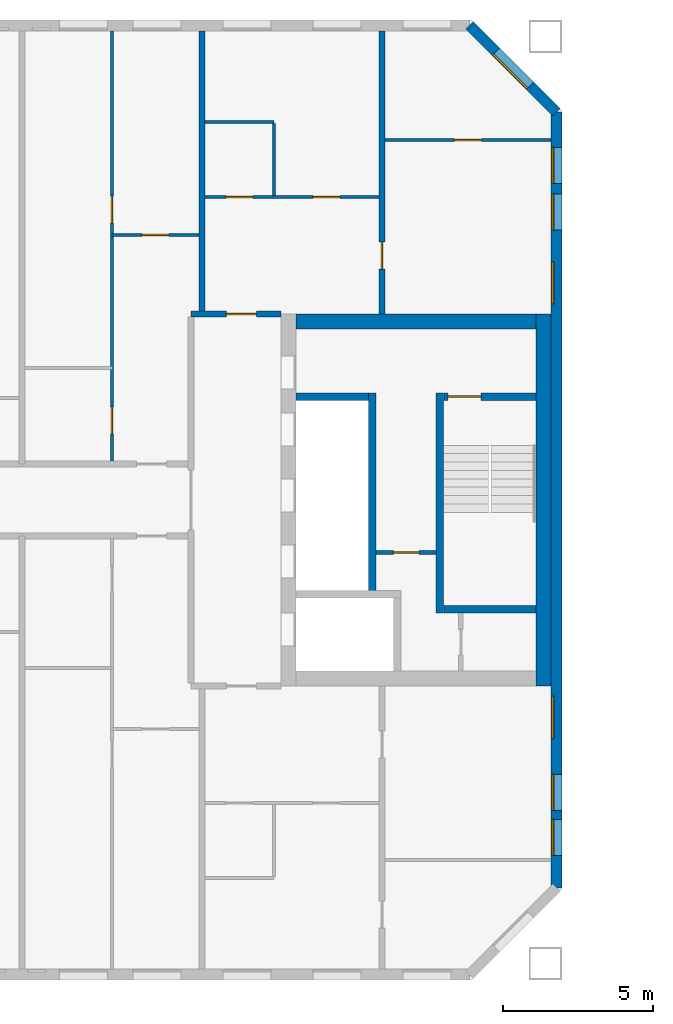
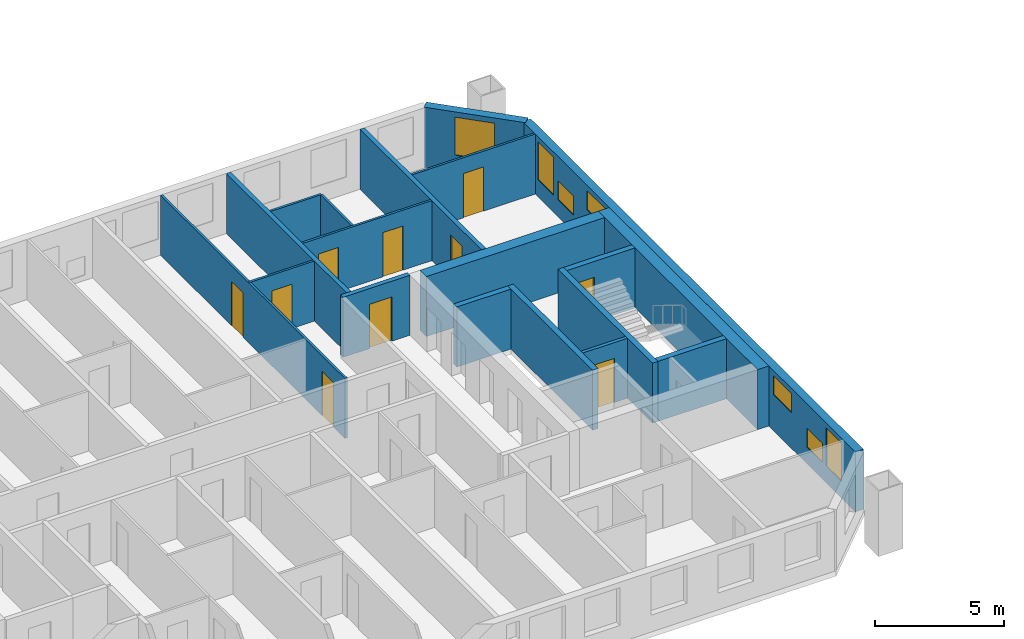
# One storey, part 7 of 15: 19 walls, 10 doors, 7 windows, 17 openings.
"""IFC4 building model written with IfcOpenShell, lengths in metres."""

import ifcopenshell
import ifcopenshell.guid

model = None  # the IFC model being written
_history = None  # IfcOwnerHistory: only IFC2X3 demands one
_inside = {}  # id of a spatial element -> (the spatial element, [elements in it])
_under = {}  # id of a project, library or spatial element -> (it, [spatial elements below it])
_declared = {}  # id of a project -> (the project, [libraries it declares])
_typed = {}  # id of a type object -> (the type object, [elements of that type])
_made_of = {}  # id of a material, layer set ... -> (it, [elements and type objects made of it])


def new_model(schema):
    """Start an empty IFC model of exactly this schema.

    Asked for "IFC4X3", IfcOpenShell would pick the latest addendum, in which some entities
    have other attributes; the version numbers below select the first issue.
    IFC2X3 requires an IfcOwnerHistory on every rooted entity: one is made here for all.
    """
    global model, _history
    if schema == "IFC4X3":
        model = ifcopenshell.file(schema_version=(4, 3, 0, 0))
    else:
        model = ifcopenshell.file(schema=schema)
    _inside.clear()
    _under.clear()
    _declared.clear()
    _typed.clear()
    _made_of.clear()
    _history = None
    if model.schema == "IFC2X3":
        org = make("IfcOrganization", Name="unknown")
        user = make(
            "IfcPersonAndOrganization",
            ThePerson=make("IfcPerson", FamilyName="unknown"),
            TheOrganization=org,
        )
        app = make(
            "IfcApplication",
            ApplicationDeveloper=org,
            Version="unknown",
            ApplicationFullName="unknown",
            ApplicationIdentifier="unknown",
        )
        _history = make(
            "IfcOwnerHistory",
            OwningUser=user,
            OwningApplication=app,
            ChangeAction="ADDED",
            CreationDate=0,
        )
    return model


def make(cls, **values):
    """One entity of the class cls with the attributes given. An attribute that is None is left unset."""
    return model.create_entity(
        cls, **{name: value for name, value in values.items() if value is not None}
    )


def rooted(cls, **values):
    """An entity with a GlobalId (a new one), such as an element, a storey or a relation."""
    return make(cls, GlobalId=ifcopenshell.guid.new(), OwnerHistory=_history, **values)


def si_unit(unit_type, name, prefix=None):
    """IfcSIUnit, for example si_unit("LENGTHUNIT", "METRE", prefix="MILLI")."""
    return make("IfcSIUnit", UnitType=unit_type, Prefix=prefix, Name=name)


def assignment(units):
    """IfcUnitAssignment: the units of a project."""
    return None if units is None else make("IfcUnitAssignment", Units=units)


def point(xyz):
    """IfcCartesianPoint."""
    return None if xyz is None else make("IfcCartesianPoint", Coordinates=xyz)


def direction(xyz):
    """IfcDirection."""
    return None if xyz is None else make("IfcDirection", DirectionRatios=xyz)


def frame(location, z_axis=None, x_axis=None):
    """IfcAxis2Placement3D, a coordinate frame: its origin and axes. An axis left out is left unset."""
    return make(
        "IfcAxis2Placement3D",
        Location=point(location),
        Axis=direction(z_axis),
        RefDirection=direction(x_axis),
    )


def frame_2d(location, x_axis=None):
    """IfcAxis2Placement2D, a coordinate frame in the plane: its origin and x axis."""
    return make(
        "IfcAxis2Placement2D", Location=point(location), RefDirection=direction(x_axis)
    )


def origin():
    """The frame at (0, 0, 0) with its axes left unset."""
    return frame((0.0, 0.0, 0.0))


def place(relative_to, where):
    """IfcLocalPlacement: puts the frame where relative to a parent placement (None: the world)."""
    return make(
        "IfcLocalPlacement", PlacementRelTo=relative_to, RelativePlacement=where
    )


def context(
    kind, dimensions, precision=None, world=None, true_north=None, identifier=None
):
    """IfcGeometricRepresentationContext, for example the 3D "Model" context."""
    return make(
        "IfcGeometricRepresentationContext",
        ContextIdentifier=identifier,
        ContextType=kind,
        CoordinateSpaceDimension=dimensions,
        Precision=precision,
        WorldCoordinateSystem=world,
        TrueNorth=true_north,
    )


def subcontext(parent, identifier, kind, view, scale=None):
    """IfcGeometricRepresentationSubContext, for example "Body" below "Model"."""
    return make(
        "IfcGeometricRepresentationSubContext",
        ContextIdentifier=identifier,
        ContextType=kind,
        ParentContext=parent,
        TargetScale=scale,
        TargetView=view,
    )


def project(units=None, contexts=None):
    """IfcProject with its units and contexts."""
    return rooted(
        "IfcProject",
        Name="project",
        RepresentationContexts=contexts,
        UnitsInContext=assignment(units),
    )


def spatial(cls, under=None, at=None, **own):
    """A site, building, storey or space (cls), placed at a placement, below another one or the project."""
    s = rooted(cls, ObjectPlacement=at, **own)
    if under is not None:
        _under.setdefault(under.id(), (under, []))[1].append(s)
    return s


def profile(cls, at=None, kind="AREA", **sizes):
    """A parametric profile (cls). Its sizes go by their IFC names, for example OverallWidth=200.0."""
    return make(cls, ProfileType=kind, Position=at, **sizes)


def rectangle(**sizes):
    """IfcRectangleProfileDef."""
    return profile("IfcRectangleProfileDef", **sizes)


def extrude(swept, where, along, depth):
    """IfcExtrudedAreaSolid: the profile swept, set in the frame where, extruded along a direction by depth."""
    return make(
        "IfcExtrudedAreaSolid",
        SweptArea=swept,
        Position=where,
        ExtrudedDirection=direction(along),
        Depth=depth,
    )


def shape(context_of_items, identifier, shape_type, items):
    """IfcShapeRepresentation: the items that make up one representation, for example the "Body"."""
    return make(
        "IfcShapeRepresentation",
        ContextOfItems=context_of_items,
        RepresentationIdentifier=identifier,
        RepresentationType=shape_type,
        Items=items,
    )


def material(Name=None, Category=None):
    """IfcMaterial."""
    return make("IfcMaterial", Name=Name, Category=Category)


def layer(
    of_material, thickness, ventilated=None, Name=None, Category=None, Priority=None
):
    """IfcMaterialLayer: one layer of a wall or slab, of a material (None: an air gap)."""
    return make(
        "IfcMaterialLayer",
        Material=of_material,
        LayerThickness=thickness,
        IsVentilated=ventilated,
        Name=Name,
        Category=Category,
        Priority=Priority,
    )


def layer_set(layers, Name=None):
    """IfcMaterialLayerSet."""
    return make("IfcMaterialLayerSet", MaterialLayers=layers, LayerSetName=Name)


def made_of(thing, what):
    """Note that an element or type object is made of a material, layer set ...; save() writes the relation."""
    if what is not None:
        _made_of.setdefault(what.id(), (what, []))[1].append(thing)
    return thing


def type_object(cls, material=None, **own):
    """A type object (cls), such as IfcWallType, which elements share."""
    return made_of(rooted(cls, **own), material)


def element(
    cls,
    number,
    at=None,
    inside=None,
    cuts=None,
    type_object=None,
    material=None,
    context=None,
    identifier="Body",
    shape_type=None,
    held_by="IfcProductDefinitionShape",
    body=None,
    shapes=None,
    **own,
):
    """One element of the class cls, such as IfcWall. Its Tag is "e" and its number.

    at: its placement. inside: the storey or other place that contains it. cuts: it is an
    opening in that element (IfcRelVoidsElement). A single representation is given by context,
    identifier, shape_type and body (its items); several are given by shapes. held_by: the class
    of the entity that holds the representations. save() writes the other relations.
    """
    e = rooted(cls, Tag="e%d" % number, ObjectPlacement=at, **own)
    if body is not None:
        shapes = [shape(context, identifier, shape_type, body)]
    if shapes is not None:
        e.Representation = make(held_by, Representations=shapes)
    if inside is not None:
        _inside.setdefault(inside.id(), (inside, []))[1].append(e)
    if cuts is not None:
        rooted(
            "IfcRelVoidsElement", RelatingBuildingElement=cuts, RelatedOpeningElement=e
        )
    if type_object is not None:
        _typed.setdefault(type_object.id(), (type_object, []))[1].append(e)
    return made_of(e, material)


def fill(opening, filler):
    """IfcRelFillsElement: the door or window that sits in an opening."""
    return rooted(
        "IfcRelFillsElement",
        RelatingOpeningElement=opening,
        RelatedBuildingElement=filler,
    )


def aggregate(whole, parts):
    """IfcRelAggregates: a whole, such as a stair, and the parts it consists of."""
    return rooted("IfcRelAggregates", RelatingObject=whole, RelatedObjects=parts)


def save(model, path):
    """Write the relations noted so far, then the file.

    IfcRelAggregates (storeys below a building ...), IfcRelContainedInSpatialStructure (elements
    in a storey), IfcRelDefinesByType, IfcRelAssociatesMaterial and IfcRelDeclares: one each for
    every whole, place, type object, material and project.
    """
    for whole, parts in _under.values():
        aggregate(whole, parts)
    for where, things in _inside.values():
        rooted(
            "IfcRelContainedInSpatialStructure",
            RelatedElements=things,
            RelatingStructure=where,
        )
    for kind, things in _typed.values():
        rooted("IfcRelDefinesByType", RelatedObjects=things, RelatingType=kind)
    for what, things in _made_of.values():
        rooted("IfcRelAssociatesMaterial", RelatedObjects=things, RelatingMaterial=what)
    for by, libraries in _declared.values():
        rooted("IfcRelDeclares", RelatingContext=by, RelatedDefinitions=libraries)
    model.write(path)


model = new_model("IFC4")

# Units and contexts
model_context = context("Model", 3, precision=1e-05, world=origin(), true_north=direction((0.0, 1.0)))
body_context = subcontext(model_context, "Body", "Model", "MODEL_VIEW")
ifc_project = project(units=[si_unit("LENGTHUNIT", "METRE"), si_unit("AREAUNIT", "SQUARE_METRE"), si_unit("VOLUMEUNIT", "CUBIC_METRE"), si_unit("PLANEANGLEUNIT", "RADIAN"), si_unit("MASSUNIT", "GRAM", prefix="KILO")], contexts=[model_context])

# Site, building, storey
site_placement = place(None, origin())
site = spatial("IfcSite", under=ifc_project, at=site_placement, CompositionType="ELEMENT")
building_placement = place(site_placement, origin())
building = spatial("IfcBuilding", under=site, at=building_placement, Name="Tuart Gate Housing", CompositionType="ELEMENT")
storey_placement = place(building_placement, frame((0.0, 0.0, 160.89990234375)))
storey = spatial("IfcBuildingStorey", under=building, at=storey_placement, Name="L45", CompositionType="ELEMENT", Elevation=160.89990234375)

# Wall, openings, windows
ifc_material_1 = material(Name="Brick", Category="masonry")
ifc_layer_1 = layer(ifc_material_1, 0.360107421875)
ifc_layer_set_1 = layer_set([ifc_layer_1], Name="Brick pier and spandrel wall 360")
wall_type_1 = type_object("IfcWallType", Name="Brick pier and spandrel wall 360", PredefinedType="STANDARD", material=ifc_layer_set_1)
wall_1_placement = place(storey_placement, frame((75.820068359375, 57.07470703125, 0.0), z_axis=(0.0, 0.0, 1.0), x_axis=(0.0, 1.0, 0.0)))
wall_1 = element("IfcWall", 1, at=wall_1_placement, inside=storey, type_object=wall_type_1, Name="External wall A-E L45", PredefinedType="STANDARD", context=body_context, shape_type="SweptSolid", body=[
    extrude(rectangle(XDim=25.850830078125, YDim=0.360107421875, at=frame_2d((12.92529296875, 0.0))), origin(), (0.0, 0.0, 1.0), 2.85009765625),
])
opening_1_placement = place(wall_1_placement, frame((1.075439453125, 0.0, 0.800048828125)))
opening_1 = element("IfcOpeningElement", 2, at=opening_1_placement, cuts=wall_1, Name="Opening W1B", PredefinedType="OPENING", context=body_context, shape_type="SweptSolid", body=[
    extrude(rectangle(XDim=1.199951171875, YDim=1.800048828125, at=frame_2d((0.60009765625, 0.89990234375))), frame((0.0, 0.18994140625, 0.0), z_axis=(0.0, -1.0, 0.0), x_axis=(1.0, 0.0, 0.0)), (0.0, 0.0, 1.0), 0.380126953125),
])
opening_2_placement = place(wall_1_placement, frame((2.575439453125, 0.0, 0.800048828125)))
opening_2 = element("IfcOpeningElement", 3, at=opening_2_placement, cuts=wall_1, Name="Opening W1T", PredefinedType="OPENING", context=body_context, shape_type="SweptSolid", body=[
    extrude(rectangle(XDim=1.199951171875, YDim=0.89990234375, at=frame_2d((0.60009765625, 0.449951171875))), frame((0.0, 0.18994140625, 0.0), z_axis=(0.0, -1.0, 0.0), x_axis=(1.0, 0.0, 0.0)), (0.0, 0.0, 1.0), 0.380126953125),
])
opening_3_placement = place(wall_1_placement, frame((19.475341796875, 0.0, 1.699951171875)))
opening_3 = element("IfcOpeningElement", 4, at=opening_3_placement, cuts=wall_1, Name="Opening W1S", PredefinedType="OPENING", context=body_context, shape_type="SweptSolid", body=[
    extrude(rectangle(XDim=1.39990234375, YDim=0.89990234375, at=frame_2d((0.699951171875, 0.449951171875))), frame((0.0, 0.18994140625, 0.0), z_axis=(0.0, -1.0, 0.0), x_axis=(1.0, 0.0, 0.0)), (0.0, 0.0, 1.0), 0.380126953125),
])
opening_4_placement = place(wall_1_placement, frame((21.92529296875, 0.0, 0.800048828125)))
opening_4 = element("IfcOpeningElement", 5, at=opening_4_placement, cuts=wall_1, Name="Opening W1T", PredefinedType="OPENING", context=body_context, shape_type="SweptSolid", body=[
    extrude(rectangle(XDim=1.199951171875, YDim=0.89990234375, at=frame_2d((0.60009765625, 0.449951171875))), frame((0.0, 0.18994140625, 0.0), z_axis=(0.0, -1.0, 0.0), x_axis=(1.0, 0.0, 0.0)), (0.0, 0.0, 1.0), 0.380126953125),
])
opening_5_placement = place(wall_1_placement, frame((4.975341796875, 0.0, 1.699951171875)))
opening_5 = element("IfcOpeningElement", 6, at=opening_5_placement, cuts=wall_1, Name="Opening W1S", PredefinedType="OPENING", context=body_context, shape_type="SweptSolid", body=[
    extrude(rectangle(XDim=1.39990234375, YDim=0.89990234375, at=frame_2d((0.699951171875, 0.449951171875))), frame((0.0, 0.18994140625, 0.0), z_axis=(0.0, -1.0, 0.0), x_axis=(1.0, 0.0, 0.0)), (0.0, 0.0, 1.0), 0.380126953125),
])
opening_6_placement = place(wall_1_placement, frame((23.475341796875, 0.0, 0.800048828125)))
opening_6 = element("IfcOpeningElement", 7, at=opening_6_placement, cuts=wall_1, Name="Opening W1B", PredefinedType="OPENING", context=body_context, shape_type="SweptSolid", body=[
    extrude(rectangle(XDim=1.199951171875, YDim=1.800048828125, at=frame_2d((0.60009765625, 0.89990234375))), frame((0.0, 0.18994140625, 0.0), z_axis=(0.0, -1.0, 0.0), x_axis=(1.0, 0.0, 0.0)), (0.0, 0.0, 1.0), 0.380126953125),
])
ifc_material_2 = material(Name="Aluminium frame with clear glass", Category="aluminium")
window_type_1 = type_object("IfcWindowType", Name="Punched window 1200 x 1800", PartitioningType="SINGLE_PANEL", PredefinedType="WINDOW", material=ifc_material_2)
window_1_placement = place(opening_1_placement, origin())
window_1 = element("IfcWindow", 8, at=window_1_placement, inside=storey, type_object=window_type_1, Name="Window W1B", OverallHeight=1.800048828125, OverallWidth=1.199951171875, PartitioningType="SINGLE_PANEL", PredefinedType="WINDOW", context=body_context, shape_type="SweptSolid", body=[
    extrude(rectangle(XDim=1.199951171875, YDim=1.800048828125, at=frame_2d((0.60009765625, 0.89990234375))), frame((0.0, 0.150146484375, 0.0), z_axis=(0.0, -1.0, 0.0), x_axis=(1.0, 0.0, 0.0)), (0.0, 0.0, 1.0), 0.06005859375),
])
fill(opening_1, window_1)
window_2_placement = place(opening_6_placement, origin())
window_2 = element("IfcWindow", 9, at=window_2_placement, inside=storey, type_object=window_type_1, Name="Window W1B", OverallHeight=1.800048828125, OverallWidth=1.199951171875, PartitioningType="SINGLE_PANEL", PredefinedType="WINDOW", context=body_context, shape_type="SweptSolid", body=[
    extrude(rectangle(XDim=1.199951171875, YDim=1.800048828125, at=frame_2d((0.60009765625, 0.89990234375))), frame((0.0, 0.150146484375, 0.0), z_axis=(0.0, -1.0, 0.0), x_axis=(1.0, 0.0, 0.0)), (0.0, 0.0, 1.0), 0.06005859375),
])
fill(opening_6, window_2)
ifc_material_3 = material(Name="Aluminium frame with clear glass", Category="aluminium")
window_type_2 = type_object("IfcWindowType", Name="Punched window 1200 x 900", PartitioningType="SINGLE_PANEL", PredefinedType="WINDOW", material=ifc_material_3)
window_3_placement = place(opening_2_placement, origin())
window_3 = element("IfcWindow", 10, at=window_3_placement, inside=storey, type_object=window_type_2, Name="Window W1T", OverallHeight=0.89990234375, OverallWidth=1.199951171875, PartitioningType="SINGLE_PANEL", PredefinedType="WINDOW", context=body_context, shape_type="SweptSolid", body=[
    extrude(rectangle(XDim=1.199951171875, YDim=0.89990234375, at=frame_2d((0.60009765625, 0.449951171875))), frame((0.0, 0.150146484375, 0.0), z_axis=(0.0, -1.0, 0.0), x_axis=(1.0, 0.0, 0.0)), (0.0, 0.0, 1.0), 0.06005859375),
])
fill(opening_2, window_3)
window_4_placement = place(opening_4_placement, origin())
window_4 = element("IfcWindow", 11, at=window_4_placement, inside=storey, type_object=window_type_2, Name="Window W1T", OverallHeight=0.89990234375, OverallWidth=1.199951171875, PartitioningType="SINGLE_PANEL", PredefinedType="WINDOW", context=body_context, shape_type="SweptSolid", body=[
    extrude(rectangle(XDim=1.199951171875, YDim=0.89990234375, at=frame_2d((0.60009765625, 0.449951171875))), frame((0.0, 0.150146484375, 0.0), z_axis=(0.0, -1.0, 0.0), x_axis=(1.0, 0.0, 0.0)), (0.0, 0.0, 1.0), 0.06005859375),
])
fill(opening_4, window_4)
ifc_material_4 = material(Name="Aluminium frame with clear glass", Category="aluminium")
window_type_3 = type_object("IfcWindowType", Name="Punched window 1400 x 900", PartitioningType="SINGLE_PANEL", PredefinedType="WINDOW", material=ifc_material_4)
window_5_placement = place(opening_3_placement, origin())
window_5 = element("IfcWindow", 12, at=window_5_placement, inside=storey, type_object=window_type_3, Name="Window W1S", OverallHeight=0.89990234375, OverallWidth=1.39990234375, PartitioningType="SINGLE_PANEL", PredefinedType="WINDOW", context=body_context, shape_type="SweptSolid", body=[
    extrude(rectangle(XDim=1.39990234375, YDim=0.89990234375, at=frame_2d((0.699951171875, 0.449951171875))), frame((0.0, 0.150146484375, 0.0), z_axis=(0.0, -1.0, 0.0), x_axis=(1.0, 0.0, 0.0)), (0.0, 0.0, 1.0), 0.06005859375),
])
fill(opening_3, window_5)
window_6_placement = place(opening_5_placement, origin())
window_6 = element("IfcWindow", 13, at=window_6_placement, inside=storey, type_object=window_type_3, Name="Window W1S", OverallHeight=0.89990234375, OverallWidth=1.39990234375, PartitioningType="SINGLE_PANEL", PredefinedType="WINDOW", context=body_context, shape_type="SweptSolid", body=[
    extrude(rectangle(XDim=1.39990234375, YDim=0.89990234375, at=frame_2d((0.699951171875, 0.449951171875))), frame((0.0, 0.150146484375, 0.0), z_axis=(0.0, -1.0, 0.0), x_axis=(1.0, 0.0, 0.0)), (0.0, 0.0, 1.0), 0.06005859375),
])
fill(opening_5, window_6)

# Wall, opening, window
wall_2_placement = place(storey_placement, frame((75.820068359375, 82.92529296875, 0.0), z_axis=(0.0, 0.0, 1.0), x_axis=(-0.707106781187, 0.707106781187, 0.0)))
wall_2 = element("IfcWall", 14, at=wall_2_placement, inside=storey, type_object=wall_type_1, Name="External wall A-NE L45", PredefinedType="STANDARD", context=body_context, shape_type="SweptSolid", body=[
    extrude(rectangle(XDim=4.09375, YDim=0.360107421875, at=frame_2d((2.046875, 0.0))), origin(), (0.0, 0.0, 1.0), 2.85009765625),
])
opening_7_placement = place(wall_2_placement, frame((1.2470703125, 0.0, 0.800048828125)))
opening_7 = element("IfcOpeningElement", 15, at=opening_7_placement, cuts=wall_2, Name="Opening W1", PredefinedType="OPENING", context=body_context, shape_type="SweptSolid", body=[
    extrude(rectangle(XDim=1.60009765625, YDim=1.800048828125, at=frame_2d((0.800048828125, 0.89990234375))), frame((0.0, 0.18994140625, 0.0), z_axis=(0.0, -1.0, 0.0), x_axis=(1.0, 0.0, 0.0)), (0.0, 0.0, 1.0), 0.380126953125),
])
ifc_material_5 = material(Name="Aluminium frame with clear glass", Category="aluminium")
window_type_4 = type_object("IfcWindowType", Name="Punched window 1600 x 1800", PartitioningType="SINGLE_PANEL", PredefinedType="WINDOW", material=ifc_material_5)
window_7_placement = place(opening_7_placement, origin())
window_7 = element("IfcWindow", 16, at=window_7_placement, inside=storey, type_object=window_type_4, Name="Window W1", OverallHeight=1.800048828125, OverallWidth=1.60009765625, PartitioningType="SINGLE_PANEL", PredefinedType="WINDOW", context=body_context, shape_type="SweptSolid", body=[
    extrude(rectangle(XDim=1.60009765625, YDim=1.800048828125, at=frame_2d((0.800048828125, 0.89990234375))), frame((0.0, 0.150146484375, 0.0), z_axis=(0.0, -1.0, 0.0), x_axis=(1.0, 0.0, 0.0)), (0.0, 0.0, 1.0), 0.06005859375),
])
fill(opening_7, window_7)

# Wall, opening, door
ifc_material_6 = material(Name="Plasterboard partition")
ifc_layer_2 = layer(ifc_material_6, 0.14990234375)
ifc_layer_set_2 = layer_set([ifc_layer_2], Name="Core partition 150")
wall_type_2 = type_object("IfcWallType", Name="Core partition 150", PredefinedType="PARTITIONING", material=ifc_layer_set_2)
wall_3_placement = place(storey_placement, frame((69.81494140625, 68.25, 0.0), z_axis=(0.0, 0.0, 1.0), x_axis=(1.0, 0.0, 0.0)))
wall_3 = element("IfcWall", 17, at=wall_3_placement, inside=storey, type_object=wall_type_2, Name="Core partition AG.3", PredefinedType="PARTITIONING", context=body_context, shape_type="SweptSolid", body=[
    extrude(rectangle(XDim=2.0, YDim=0.14990234375, at=frame_2d((1.0, 0.0))), origin(), (0.0, 0.0, 1.0), 2.85009765625),
])
opening_8_placement = place(wall_3_placement, frame((0.574951171875, 0.0, 0.0)))
opening_8 = element("IfcOpeningElement", 18, at=opening_8_placement, cuts=wall_3, Name="Opening D1658", PredefinedType="OPENING", context=body_context, shape_type="SweptSolid", body=[
    extrude(rectangle(XDim=0.85009765625, YDim=2.10009765625, at=frame_2d((0.425048828125, 1.050048828125))), frame((0.0, 0.0849609375, 0.0), z_axis=(0.0, -1.0, 0.0), x_axis=(1.0, 0.0, 0.0)), (0.0, 0.0, 1.0), 0.169921875),
])
ifc_material_7 = material(Name="Steel fire door", Category="steel")
door_type_1 = type_object("IfcDoorType", Name="Riser door 850 x 2100 RH", OperationType="SINGLE_SWING_RIGHT", PredefinedType="DOOR", material=ifc_material_7)
door_1_placement = place(opening_8_placement, frame((0.85009765625, 0.0, 0.0), z_axis=(0.0, 0.0, 1.0), x_axis=(-1.0, 0.0, 0.0)))
door_1 = element("IfcDoor", 19, at=door_1_placement, inside=storey, type_object=door_type_1, Name="Service room door AG.E1", OperationType="SINGLE_SWING_RIGHT", OverallHeight=2.10009765625, OverallWidth=0.85009765625, PredefinedType="DOOR", context=body_context, shape_type="SweptSolid", body=[
    extrude(rectangle(XDim=0.85009765625, YDim=2.10009765625, at=frame_2d((0.425048828125, 1.050048828125))), frame((0.0, 0.025146484375, 0.0), z_axis=(0.0, -1.0, 0.0), x_axis=(1.0, 0.0, 0.0)), (0.0, 0.0, 1.0), 0.050048828125),
])
fill(opening_8, door_1)

# Walls
ifc_material_8 = material(Name="Concrete C40", Category="concrete")
ifc_layer_3 = layer(ifc_material_8, 0.25)
ifc_layer_set_3 = layer_set([ifc_layer_3], Name="Core wall 250 C40")
wall_type_3 = type_object("IfcWallType", Name="Core wall 250 C40", PredefinedType="SHEAR", material=ifc_layer_set_3)
wall_4_placement = place(storey_placement, frame((72.06494140625, 66.35009765625, 0.0), z_axis=(0.0, 0.0, 1.0), x_axis=(1.0, 0.0, 0.0)))
element("IfcWall", 20, at=wall_4_placement, inside=storey, type_object=wall_type_3, Name="Core wall AG.1", PredefinedType="SHEAR", context=body_context, shape_type="SweptSolid", body=[
    extrude(rectangle(XDim=3.074951171875, YDim=0.25, at=frame_2d((1.53759765625, 0.0))), origin(), (0.0, 0.0, 1.0), 2.85009765625),
])
wall_5_placement = place(storey_placement, frame((67.139892578125, 73.449951171875, 0.0), z_axis=(0.0, 0.0, 1.0), x_axis=(1.0, 0.0, 0.0)))
element("IfcWall", 21, at=wall_5_placement, inside=storey, type_object=wall_type_3, Name="Core wall AG.4", PredefinedType="SHEAR", context=body_context, shape_type="SweptSolid", body=[
    extrude(rectangle(XDim=2.425048828125, YDim=0.25, at=frame_2d((1.21240234375, 0.0))), origin(), (0.0, 0.0, 1.0), 2.85009765625),
])

# Wall, opening, door
wall_6_placement = place(storey_placement, frame((72.06494140625, 73.449951171875, 0.0), z_axis=(0.0, 0.0, 1.0), x_axis=(1.0, 0.0, 0.0)))
wall_6 = element("IfcWall", 22, at=wall_6_placement, inside=storey, type_object=wall_type_3, Name="Core wall AG.5", PredefinedType="SHEAR", context=body_context, shape_type="SweptSolid", body=[
    extrude(rectangle(XDim=3.074951171875, YDim=0.25, at=frame_2d((1.53759765625, 0.0))), origin(), (0.0, 0.0, 1.0), 2.85009765625),
])
opening_9_placement = place(wall_6_placement, frame((0.14990234375, 0.0, 0.0)))
opening_9 = element("IfcOpeningElement", 23, at=opening_9_placement, cuts=wall_6, Name="Opening D1643", PredefinedType="OPENING", context=body_context, shape_type="SweptSolid", body=[
    extrude(rectangle(XDim=1.10009765625, YDim=2.10009765625, at=frame_2d((0.550048828125, 1.050048828125))), frame((0.0, 0.135009765625, 0.0), z_axis=(0.0, -1.0, 0.0), x_axis=(1.0, 0.0, 0.0)), (0.0, 0.0, 1.0), 0.27001953125),
])
ifc_material_9 = material(Name="Steel fire door", Category="steel")
door_type_2 = type_object("IfcDoorType", Name="Stair door 1100 x 2100 RH", OperationType="SINGLE_SWING_RIGHT", PredefinedType="DOOR", material=ifc_material_9)
door_2_placement = place(opening_9_placement, frame((1.10009765625, 0.0, 0.0), z_axis=(0.0, 0.0, 1.0), x_axis=(-1.0, 0.0, 0.0)))
door_2 = element("IfcDoor", 24, at=door_2_placement, inside=storey, type_object=door_type_2, Name="Stair door AG.SD", OperationType="SINGLE_SWING_RIGHT", OverallHeight=2.10009765625, OverallWidth=1.10009765625, PredefinedType="DOOR", context=body_context, shape_type="SweptSolid", body=[
    extrude(rectangle(XDim=1.10009765625, YDim=2.10009765625, at=frame_2d((0.550048828125, 1.050048828125))), frame((0.0, 0.025146484375, 0.0), z_axis=(0.0, -1.0, 0.0), x_axis=(1.0, 0.0, 0.0)), (0.0, 0.0, 1.0), 0.050048828125),
])
fill(opening_9, door_2)

# Walls
wall_7_placement = place(storey_placement, frame((69.68994140625, 66.97509765625, 0.0), z_axis=(0.0, 0.0, 1.0), x_axis=(0.0, 1.0, 0.0)))
element("IfcWall", 25, at=wall_7_placement, inside=storey, type_object=wall_type_3, Name="Core wall AG.6", PredefinedType="SHEAR", context=body_context, shape_type="SweptSolid", body=[
    extrude(rectangle(XDim=6.599853515625, YDim=0.25, at=frame_2d((3.2998046875, 0.0))), origin(), (0.0, 0.0, 1.0), 2.85009765625),
])
wall_8_placement = place(storey_placement, frame((71.93994140625, 66.22509765625, 0.0), z_axis=(0.0, 0.0, 1.0), x_axis=(0.0, 1.0, 0.0)))
element("IfcWall", 26, at=wall_8_placement, inside=storey, type_object=wall_type_3, Name="Core wall AG.8", PredefinedType="SHEAR", context=body_context, shape_type="SweptSolid", body=[
    extrude(rectangle(XDim=7.349853515625, YDim=0.25, at=frame_2d((3.6748046875, 0.0))), origin(), (0.0, 0.0, 1.0), 2.85009765625),
])
ifc_material_10 = material(Name="Concrete C40", Category="concrete")
ifc_layer_4 = layer(ifc_material_10, 0.5)
ifc_layer_set_4 = layer_set([ifc_layer_4], Name="Core wall 500 C40")
wall_type_4 = type_object("IfcWallType", Name="Core wall 500 C40", PredefinedType="SHEAR", material=ifc_layer_set_4)
wall_9_placement = place(storey_placement, frame((75.389892578125, 63.800048828125, 0.0), z_axis=(0.0, 0.0, 1.0), x_axis=(0.0, 1.0, 0.0)))
element("IfcWall", 27, at=wall_9_placement, inside=storey, type_object=wall_type_4, Name="Core wall AG back", PredefinedType="SHEAR", context=body_context, shape_type="SweptSolid", body=[
    extrude(rectangle(XDim=12.39990234375, YDim=0.5, at=frame_2d((6.199951171875, 0.0))), origin(), (0.0, 0.0, 1.0), 2.85009765625),
])
wall_10_placement = place(storey_placement, frame((67.139892578125, 75.949951171875, 0.0), z_axis=(0.0, 0.0, 1.0), x_axis=(1.0, 0.0, 0.0)))
element("IfcWall", 28, at=wall_10_placement, inside=storey, type_object=wall_type_4, Name="Core wall AG north", PredefinedType="SHEAR", context=body_context, shape_type="SweptSolid", body=[
    extrude(rectangle(XDim=8.0, YDim=0.5, at=frame_2d((4.0, 0.0))), origin(), (0.0, 0.0, 1.0), 2.85009765625),
])

# Wall, opening, door
ifc_material_11 = material(Name="Concrete masonry 15 MPa", Category="masonry")
ifc_layer_5 = layer(ifc_material_11, 0.199951171875)
ifc_layer_set_5 = layer_set([ifc_layer_5], Name="Enclosure wall masonry 200")
wall_type_5 = type_object("IfcWallType", Name="Enclosure wall masonry 200", PredefinedType="PARTITIONING", material=ifc_layer_set_5)
wall_11_placement = place(storey_placement, frame((63.639892578125, 76.199951171875, 0.0), z_axis=(0.0, 0.0, 1.0), x_axis=(1.0, 0.0, 0.0)))
wall_11 = element("IfcWall", 29, at=wall_11_placement, inside=storey, type_object=wall_type_5, Name="Enclosure wall masonry 200", PredefinedType="PARTITIONING", context=body_context, shape_type="SweptSolid", body=[
    extrude(rectangle(XDim=3.0, YDim=0.199951171875, at=frame_2d((1.5, 0.0))), origin(), (0.0, 0.0, 1.0), 2.85009765625),
])
opening_10_placement = place(wall_11_placement, frame((1.179931640625, 0.0, 0.0)))
opening_10 = element("IfcOpeningElement", 30, at=opening_10_placement, cuts=wall_11, Name="Opening D1642", PredefinedType="OPENING", context=body_context, shape_type="SweptSolid", body=[
    extrude(rectangle(XDim=1.0, YDim=2.10009765625, at=frame_2d((0.5, 1.050048828125))), frame((0.0, 0.10986328125, 0.0), z_axis=(0.0, -1.0, 0.0), x_axis=(1.0, 0.0, 0.0)), (0.0, 0.0, 1.0), 0.219970703125),
])
ifc_material_12 = material(Name="Timber door leaf in steel frame", Category="steel")
door_type_3 = type_object("IfcDoorType", Name="Flat entrance door 1000", OperationType="SINGLE_SWING_LEFT", PredefinedType="DOOR", material=ifc_material_12)
door_3_placement = place(opening_10_placement, origin())
door_3 = element("IfcDoor", 31, at=door_3_placement, inside=storey, type_object=door_type_3, Name="Flat entrance door", OperationType="SINGLE_SWING_LEFT", OverallHeight=2.10009765625, OverallWidth=1.0, PredefinedType="DOOR", context=body_context, shape_type="SweptSolid", body=[
    extrude(rectangle(XDim=1.0, YDim=2.10009765625, at=frame_2d((0.5, 1.050048828125))), frame((0.0, 0.02490234375, 0.0), z_axis=(0.0, -1.0, 0.0), x_axis=(1.0, 0.0, 0.0)), (0.0, 0.0, 1.0), 0.050048828125),
])
fill(opening_10, door_3)

ifc_material_13 = material(Name="Gypsum board on steel studs", Category="steel")
ifc_layer_6 = layer(ifc_material_13, 0.10009765625)
ifc_layer_set_6 = layer_set([ifc_layer_6], Name="Partition 100")
wall_type_6 = type_object("IfcWallType", Name="Partition 100", PredefinedType="PARTITIONING", material=ifc_layer_set_6)
wall_12_placement = place(storey_placement, frame((61.0, 78.840087890625, 0.0), z_axis=(0.0, 0.0, 1.0), x_axis=(1.0, 0.0, 0.0)))
wall_12 = element("IfcWall", 32, at=wall_12_placement, inside=storey, type_object=wall_type_6, Name="Partition 100", PredefinedType="PARTITIONING", context=body_context, shape_type="SweptSolid", body=[
    extrude(rectangle(XDim=2.89990234375, YDim=0.10009765625, at=frame_2d((1.449951171875, 0.0))), origin(), (0.0, 0.0, 1.0), 2.85009765625),
])
opening_11_placement = place(wall_12_placement, frame((1.0, 0.0, 0.0)))
opening_11 = element("IfcOpeningElement", 33, at=opening_11_placement, cuts=wall_12, Name="Opening D1631", PredefinedType="OPENING", context=body_context, shape_type="SweptSolid", body=[
    extrude(rectangle(XDim=0.89990234375, YDim=2.10009765625, at=frame_2d((0.449951171875, 1.050048828125))), frame((0.0, 0.06005859375, 0.0), z_axis=(0.0, -1.0, 0.0), x_axis=(1.0, 0.0, 0.0)), (0.0, 0.0, 1.0), 0.1201171875),
])
ifc_material_14 = material(Name="Timber door leaf in steel frame", Category="steel")
door_type_4 = type_object("IfcDoorType", Name="Internal door 900 RH", OperationType="SINGLE_SWING_RIGHT", PredefinedType="DOOR", material=ifc_material_14)
door_4_placement = place(opening_11_placement, frame((0.89990234375, 0.0, 0.0), z_axis=(0.0, 0.0, 1.0), x_axis=(-1.0, 0.0, 0.0)))
door_4 = element("IfcDoor", 34, at=door_4_placement, inside=storey, type_object=door_type_4, Name="Internal door", OperationType="SINGLE_SWING_RIGHT", OverallHeight=2.10009765625, OverallWidth=0.89990234375, PredefinedType="DOOR", context=body_context, shape_type="SweptSolid", body=[
    extrude(rectangle(XDim=0.89990234375, YDim=2.10009765625, at=frame_2d((0.449951171875, 1.050048828125))), frame((0.0, 0.025146484375, 0.0), z_axis=(0.0, -1.0, 0.0), x_axis=(1.0, 0.0, 0.0)), (0.0, 0.0, 1.0), 0.050048828125),
])
fill(opening_11, door_4)

# Wall, openings, doors
wall_13_placement = place(storey_placement, frame((64.10009765625, 80.10009765625, 0.0), z_axis=(0.0, 0.0, 1.0), x_axis=(1.0, 0.0, 0.0)))
wall_13 = element("IfcWall", 35, at=wall_13_placement, inside=storey, type_object=wall_type_6, Name="Partition 100", PredefinedType="PARTITIONING", context=body_context, shape_type="SweptSolid", body=[
    extrude(rectangle(XDim=5.7998046875, YDim=0.10009765625, at=frame_2d((2.89990234375, 0.0))), origin(), (0.0, 0.0, 1.0), 2.85009765625),
])
opening_12_placement = place(wall_13_placement, frame((3.60009765625, 0.0, 0.0)))
opening_12 = element("IfcOpeningElement", 36, at=opening_12_placement, cuts=wall_13, Name="Opening D1629", PredefinedType="OPENING", context=body_context, shape_type="SweptSolid", body=[
    extrude(rectangle(XDim=0.89990234375, YDim=2.10009765625, at=frame_2d((0.449951171875, 1.050048828125))), frame((0.0, 0.06005859375, 0.0), z_axis=(0.0, -1.0, 0.0), x_axis=(1.0, 0.0, 0.0)), (0.0, 0.0, 1.0), 0.1201171875),
])
opening_13_placement = place(wall_13_placement, frame((0.699951171875, 0.0, 0.0)))
opening_13 = element("IfcOpeningElement", 37, at=opening_13_placement, cuts=wall_13, Name="Opening D1628", PredefinedType="OPENING", context=body_context, shape_type="SweptSolid", body=[
    extrude(rectangle(XDim=0.89990234375, YDim=2.10009765625, at=frame_2d((0.449951171875, 1.050048828125))), frame((0.0, 0.06005859375, 0.0), z_axis=(0.0, -1.0, 0.0), x_axis=(1.0, 0.0, 0.0)), (0.0, 0.0, 1.0), 0.1201171875),
])
ifc_material_15 = material(Name="Timber door leaf in steel frame", Category="steel")
door_type_5 = type_object("IfcDoorType", Name="Bathroom door 900 RH", OperationType="SINGLE_SWING_RIGHT", PredefinedType="DOOR", material=ifc_material_15)
door_5_placement = place(opening_13_placement, origin())
door_5 = element("IfcDoor", 38, at=door_5_placement, inside=storey, type_object=door_type_5, Name="Bathroom door", OperationType="SINGLE_SWING_RIGHT", OverallHeight=2.10009765625, OverallWidth=0.89990234375, PredefinedType="DOOR", context=body_context, shape_type="SweptSolid", body=[
    extrude(rectangle(XDim=0.89990234375, YDim=2.10009765625, at=frame_2d((0.449951171875, 1.050048828125))), frame((0.0, 0.02490234375, 0.0), z_axis=(0.0, -1.0, 0.0), x_axis=(1.0, 0.0, 0.0)), (0.0, 0.0, 1.0), 0.050048828125),
])
fill(opening_13, door_5)
ifc_material_16 = material(Name="Timber door leaf in steel frame", Category="steel")
door_type_6 = type_object("IfcDoorType", Name="Internal door 900", OperationType="SINGLE_SWING_LEFT", PredefinedType="DOOR", material=ifc_material_16)
door_6_placement = place(opening_12_placement, origin())
door_6 = element("IfcDoor", 39, at=door_6_placement, inside=storey, type_object=door_type_6, Name="Internal door", OperationType="SINGLE_SWING_LEFT", OverallHeight=2.10009765625, OverallWidth=0.89990234375, PredefinedType="DOOR", context=body_context, shape_type="SweptSolid", body=[
    extrude(rectangle(XDim=0.89990234375, YDim=2.10009765625, at=frame_2d((0.449951171875, 1.050048828125))), frame((0.0, 0.02490234375, 0.0), z_axis=(0.0, -1.0, 0.0), x_axis=(1.0, 0.0, 0.0)), (0.0, 0.0, 1.0), 0.050048828125),
])
fill(opening_12, door_6)

# Wall, opening, door
wall_14_placement = place(storey_placement, frame((70.10009765625, 82.0, 0.0), z_axis=(0.0, 0.0, 1.0), x_axis=(1.0, 0.0, 0.0)))
wall_14 = element("IfcWall", 40, at=wall_14_placement, inside=storey, type_object=wall_type_6, Name="Partition 100", PredefinedType="PARTITIONING", context=body_context, shape_type="SweptSolid", body=[
    extrude(rectangle(XDim=5.539794921875, YDim=0.10009765625, at=frame_2d((2.77001953125, 0.0))), origin(), (0.0, 0.0, 1.0), 2.85009765625),
])
opening_14_placement = place(wall_14_placement, frame((2.320068359375, 0.0, 0.0)))
opening_14 = element("IfcOpeningElement", 41, at=opening_14_placement, cuts=wall_14, Name="Opening D1625", PredefinedType="OPENING", context=body_context, shape_type="SweptSolid", body=[
    extrude(rectangle(XDim=0.89990234375, YDim=2.10009765625, at=frame_2d((0.449951171875, 1.050048828125))), frame((0.0, 0.06005859375, 0.0), z_axis=(0.0, -1.0, 0.0), x_axis=(1.0, 0.0, 0.0)), (0.0, 0.0, 1.0), 0.1201171875),
])
door_7_placement = place(opening_14_placement, origin())
door_7 = element("IfcDoor", 42, at=door_7_placement, inside=storey, type_object=door_type_4, Name="Internal door", OperationType="SINGLE_SWING_RIGHT", OverallHeight=2.10009765625, OverallWidth=0.89990234375, PredefinedType="DOOR", context=body_context, shape_type="SweptSolid", body=[
    extrude(rectangle(XDim=0.89990234375, YDim=2.10009765625, at=frame_2d((0.449951171875, 1.050048828125))), frame((0.0, 0.02490234375, 0.0), z_axis=(0.0, -1.0, 0.0), x_axis=(1.0, 0.0, 0.0)), (0.0, 0.0, 1.0), 0.050048828125),
])
fill(opening_14, door_7)

# Wall
wall_15_placement = place(storey_placement, frame((64.10009765625, 82.60009765625, 0.0), z_axis=(0.0, 0.0, 1.0), x_axis=(1.0, 0.0, 0.0)))
element("IfcWall", 43, at=wall_15_placement, inside=storey, type_object=wall_type_6, Name="Partition 100", PredefinedType="PARTITIONING", context=body_context, shape_type="SweptSolid", body=[
    extrude(rectangle(XDim=2.2998046875, YDim=0.10009765625, at=frame_2d((1.14990234375, 0.0))), origin(), (0.0, 0.0, 1.0), 2.85009765625),
])

# Wall, openings, doors
wall_16_placement = place(storey_placement, frame((61.0, 71.300048828125, 0.0), z_axis=(0.0, 0.0, 1.0), x_axis=(0.0, 1.0, 0.0)))
wall_16 = element("IfcWall", 44, at=wall_16_placement, inside=storey, type_object=wall_type_6, Name="Partition 100", PredefinedType="PARTITIONING", context=body_context, shape_type="SweptSolid", body=[
    extrude(rectangle(XDim=14.33984375, YDim=0.10009765625, at=frame_2d((7.169921875, 0.0))), origin(), (0.0, 0.0, 1.0), 2.85009765625),
])
opening_15_placement = place(wall_16_placement, frame((7.93994140625, 0.0, 0.0)))
opening_15 = element("IfcOpeningElement", 45, at=opening_15_placement, cuts=wall_16, Name="Opening D1639", PredefinedType="OPENING", context=body_context, shape_type="SweptSolid", body=[
    extrude(rectangle(XDim=0.89990234375, YDim=2.10009765625, at=frame_2d((0.449951171875, 1.050048828125))), frame((0.0, 0.06005859375, 0.0), z_axis=(0.0, -1.0, 0.0), x_axis=(1.0, 0.0, 0.0)), (0.0, 0.0, 1.0), 0.1201171875),
])
opening_16_placement = place(wall_16_placement, frame((0.89990234375, 0.0, 0.0)))
opening_16 = element("IfcOpeningElement", 46, at=opening_16_placement, cuts=wall_16, Name="Opening D1638", PredefinedType="OPENING", context=body_context, shape_type="SweptSolid", body=[
    extrude(rectangle(XDim=0.89990234375, YDim=2.10009765625, at=frame_2d((0.449951171875, 1.050048828125))), frame((0.0, 0.06005859375, 0.0), z_axis=(0.0, -1.0, 0.0), x_axis=(1.0, 0.0, 0.0)), (0.0, 0.0, 1.0), 0.1201171875),
])
ifc_material_17 = material(Name="Timber door leaf in steel frame", Category="steel")
door_type_7 = type_object("IfcDoorType", Name="Bathroom door 900", OperationType="SINGLE_SWING_LEFT", PredefinedType="DOOR", material=ifc_material_17)
door_8_placement = place(opening_16_placement, origin())
door_8 = element("IfcDoor", 47, at=door_8_placement, inside=storey, type_object=door_type_7, Name="Bathroom door", OperationType="SINGLE_SWING_LEFT", OverallHeight=2.10009765625, OverallWidth=0.89990234375, PredefinedType="DOOR", context=body_context, shape_type="SweptSolid", body=[
    extrude(rectangle(XDim=0.89990234375, YDim=2.10009765625, at=frame_2d((0.449951171875, 1.050048828125))), frame((0.0, 0.02490234375, 0.0), z_axis=(0.0, -1.0, 0.0), x_axis=(1.0, 0.0, 0.0)), (0.0, 0.0, 1.0), 0.050048828125),
])
fill(opening_16, door_8)
door_9_placement = place(opening_15_placement, origin())
door_9 = element("IfcDoor", 48, at=door_9_placement, inside=storey, type_object=door_type_6, Name="Internal door", OperationType="SINGLE_SWING_LEFT", OverallHeight=2.10009765625, OverallWidth=0.89990234375, PredefinedType="DOOR", context=body_context, shape_type="SweptSolid", body=[
    extrude(rectangle(XDim=0.89990234375, YDim=2.10009765625, at=frame_2d((0.449951171875, 1.050048828125))), frame((0.0, 0.02490234375, 0.0), z_axis=(0.0, -1.0, 0.0), x_axis=(1.0, 0.0, 0.0)), (0.0, 0.0, 1.0), 0.050048828125),
])
fill(opening_15, door_9)

# Walls
wall_17_placement = place(storey_placement, frame((66.39990234375, 80.14990234375, 0.0), z_axis=(0.0, 0.0, 1.0), x_axis=(0.0, 1.0, 0.0)))
element("IfcWall", 49, at=wall_17_placement, inside=storey, type_object=wall_type_6, Name="Partition 100", PredefinedType="PARTITIONING", context=body_context, shape_type="SweptSolid", body=[
    extrude(rectangle(XDim=2.400146484375, YDim=0.10009765625, at=frame_2d((1.2001953125, 0.0))), origin(), (0.0, 0.0, 1.0), 2.85009765625),
])
ifc_material_18 = material(Name="Concrete C40", Category="concrete")
ifc_layer_7 = layer(ifc_material_18, 0.199951171875)
ifc_layer_set_7 = layer_set([ifc_layer_7], Name="Party wall concrete C40 200")
wall_type_7 = type_object("IfcWallType", Name="Party wall concrete C40 200", PredefinedType="SOLIDWALL", material=ifc_layer_set_7)
wall_18_placement = place(storey_placement, frame((64.0, 76.199951171875, 0.0), z_axis=(0.0, 0.0, 1.0), x_axis=(0.0, 1.0, 0.0)))
element("IfcWall", 50, at=wall_18_placement, inside=storey, type_object=wall_type_7, Name="Party wall concrete C40 200", PredefinedType="SOLIDWALL", context=body_context, shape_type="SweptSolid", body=[
    extrude(rectangle(XDim=9.43994140625, YDim=0.199951171875, at=frame_2d((4.719970703125, 0.0))), origin(), (0.0, 0.0, 1.0), 2.85009765625),
])

# Wall, opening, door
wall_19_placement = place(storey_placement, frame((70.0, 76.199951171875, 0.0), z_axis=(0.0, 0.0, 1.0), x_axis=(0.0, 1.0, 0.0)))
wall_19 = element("IfcWall", 51, at=wall_19_placement, inside=storey, type_object=wall_type_7, Name="Party wall concrete C40 200", PredefinedType="SOLIDWALL", context=body_context, shape_type="SweptSolid", body=[
    extrude(rectangle(XDim=9.43994140625, YDim=0.199951171875, at=frame_2d((4.719970703125, 0.0))), origin(), (0.0, 0.0, 1.0), 2.85009765625),
])
opening_17_placement = place(wall_19_placement, frame((1.5, 0.0, 0.0)))
opening_17 = element("IfcOpeningElement", 52, at=opening_17_placement, cuts=wall_19, Name="Opening D1626", PredefinedType="OPENING", context=body_context, shape_type="SweptSolid", body=[
    extrude(rectangle(XDim=0.89990234375, YDim=2.10009765625, at=frame_2d((0.449951171875, 1.050048828125))), frame((0.0, 0.10986328125, 0.0), z_axis=(0.0, -1.0, 0.0), x_axis=(1.0, 0.0, 0.0)), (0.0, 0.0, 1.0), 0.219970703125),
])
door_10_placement = place(opening_17_placement, origin())
door_10 = element("IfcDoor", 53, at=door_10_placement, inside=storey, type_object=door_type_6, Name="Internal door", OperationType="SINGLE_SWING_LEFT", OverallHeight=2.10009765625, OverallWidth=0.89990234375, PredefinedType="DOOR", context=body_context, shape_type="SweptSolid", body=[
    extrude(rectangle(XDim=0.89990234375, YDim=2.10009765625, at=frame_2d((0.449951171875, 1.050048828125))), frame((0.0, 0.02490234375, 0.0), z_axis=(0.0, -1.0, 0.0), x_axis=(1.0, 0.0, 0.0)), (0.0, 0.0, 1.0), 0.050048828125),
])
fill(opening_17, door_10)

save(model, "model.ifc")
